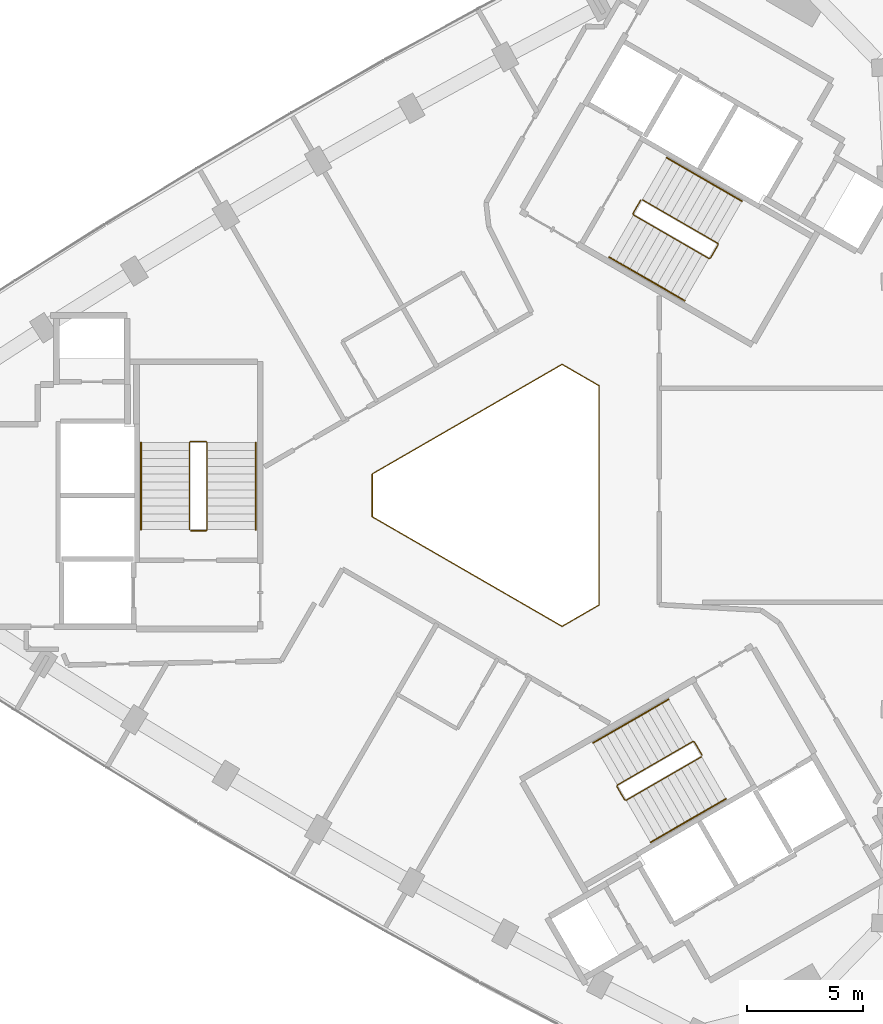
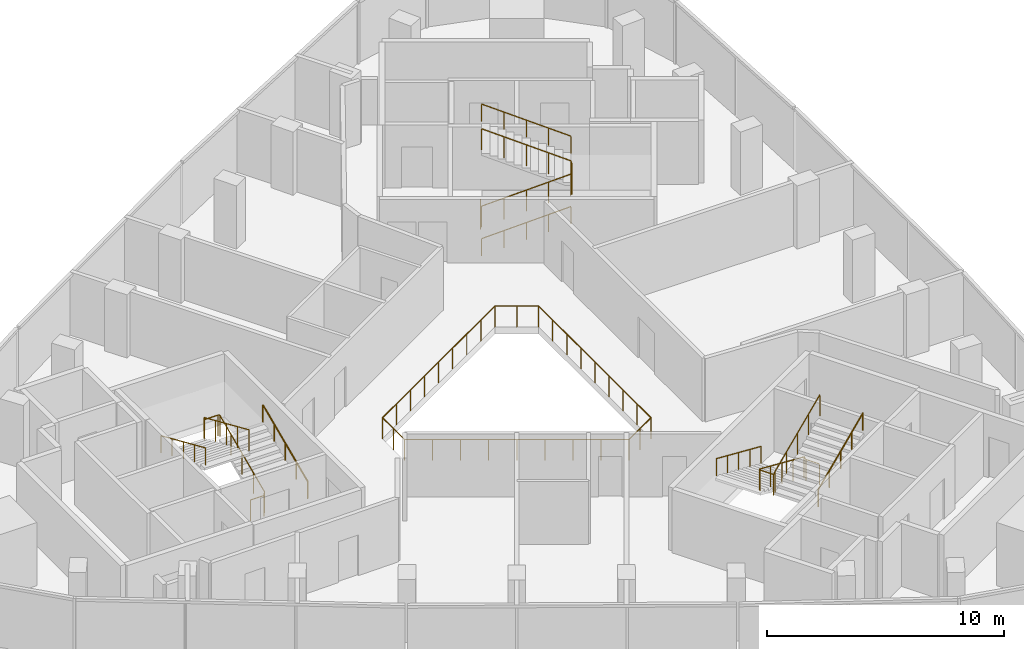
# One storey, part 11 of 11: 10 railings.
"""IFC4 building model written with IfcOpenShell, lengths in metres."""

from ifc_helpers import new_model, si_unit, direction, frame, origin, origin_2d, place, context, subcontext, project, spatial, circle, extrude, material, type_object, element, save


model = new_model("IFC4")

# Units and contexts
model_context = context("Model", 3, precision=1e-05, world=origin(), true_north=direction((0.0, 1.0)))
body_context = subcontext(model_context, "Body", "Model", "MODEL_VIEW")
ifc_project = project(units=[si_unit("LENGTHUNIT", "METRE"), si_unit("AREAUNIT", "SQUARE_METRE"), si_unit("VOLUMEUNIT", "CUBIC_METRE"), si_unit("PLANEANGLEUNIT", "RADIAN"), si_unit("MASSUNIT", "GRAM", prefix="KILO")], contexts=[model_context])

# Site, building, storey
site_placement = place(None, origin())
site = spatial("IfcSite", under=ifc_project, at=site_placement, CompositionType="ELEMENT")
building_placement = place(site_placement, origin())
building = spatial("IfcBuilding", under=site, at=building_placement, Name="Tamra Quay Hotel Tower", CompositionType="ELEMENT")
storey_placement = place(building_placement, frame((0.0, 0.0, 246.60009765625)))
storey = spatial("IfcBuildingStorey", under=building, at=storey_placement, Name="L62", CompositionType="ELEMENT", Elevation=246.60009765625)

# Railings
ifc_material_1 = material(Name="Guard atrium edge 1100")
railing_type_1 = type_object("IfcRailingType", Name="Guard atrium edge 1100", PredefinedType="GUARDRAIL", material=ifc_material_1)
railing_1_placement = place(storey_placement, frame((3.800048828125, -4.73388671875, 0.0)))
element("IfcRailing", 1, at=railing_1_placement, inside=storey, type_object=railing_type_1, Name="G-A", PredefinedType="GUARDRAIL", context=body_context, shape_type="SweptSolid", body=[
    extrude(circle(Radius=0.02392578125, at=origin_2d()), frame((0.0, 0.0, 1.076171875), z_axis=(-0.865965533559, -0.500103683937, 0.0), x_axis=(0.500103683937, -0.865965533559, 0.0)), (0.0, 0.0, 1.0), 1.84765625),
    extrude(circle(Radius=0.02392578125, at=origin_2d()), frame((-1.60009765625, -0.924072265625, 1.076171875), z_axis=(-0.86604174356, 0.49997169761, 0.0), x_axis=(-0.49997169761, -0.86604174356, 0.0)), (0.0, 0.0, 1.0), 9.46826171875),
    extrude(circle(Radius=0.02392578125, at=origin_2d()), frame((-9.800048828125, 3.809814453125, 1.076171875), z_axis=(0.0, 1.0, 0.0), x_axis=(-1.0, 0.0, 0.0)), (0.0, 0.0, 1.0), 1.84814453125),
    extrude(circle(Radius=0.02392578125, at=origin_2d()), frame((-9.800048828125, 5.657958984375, 1.076171875), z_axis=(0.86604174356, 0.49997169761, 0.0), x_axis=(-0.49997169761, 0.86604174356, 0.0)), (0.0, 0.0, 1.0), 9.46826171875),
    extrude(circle(Radius=0.02392578125, at=origin_2d()), frame((-1.60009765625, 10.391845703125, 1.076171875), z_axis=(0.865965533559, -0.500103683937, 0.0), x_axis=(0.500103683937, 0.865965533559, 0.0)), (0.0, 0.0, 1.0), 1.84765625),
    extrude(circle(Radius=0.02392578125, at=origin_2d()), frame((0.0, 9.4677734375, 1.076171875), z_axis=(0.0, -1.0, 0.0), x_axis=(1.0, 0.0, 0.0)), (0.0, 0.0, 1.0), 9.4677734375),
    extrude(circle(Radius=0.02099609375, at=origin_2d()), origin(), (0.0, 0.0, 1.0), 1.052001953125),
    extrude(circle(Radius=0.02099609375, at=origin_2d()), frame((-0.800048828125, -0.4619140625, 0.0)), (0.0, 0.0, 1.0), 1.052001953125),
    extrude(circle(Radius=0.02099609375, at=origin_2d()), frame((-1.60009765625, -0.924072265625, 0.0)), (0.0, 0.0, 1.0), 1.052001953125),
    extrude(circle(Radius=0.02099609375, at=origin_2d()), frame((-2.625, -0.332275390625, 0.0)), (0.0, 0.0, 1.0), 1.052001953125),
    extrude(circle(Radius=0.02099609375, at=origin_2d()), frame((-3.650146484375, 0.25927734375, 0.0)), (0.0, 0.0, 1.0), 1.052001953125),
    extrude(circle(Radius=0.02099609375, at=origin_2d()), frame((-4.675048828125, 0.85107421875, 0.0)), (0.0, 0.0, 1.0), 1.052001953125),
    extrude(circle(Radius=0.02099609375, at=origin_2d()), frame((-5.7001953125, 1.44287109375, 0.0)), (0.0, 0.0, 1.0), 1.052001953125),
    extrude(circle(Radius=0.02099609375, at=origin_2d()), frame((-6.72509765625, 2.03466796875, 0.0)), (0.0, 0.0, 1.0), 1.052001953125),
    extrude(circle(Radius=0.02099609375, at=origin_2d()), frame((-7.75, 2.62646484375, 0.0)), (0.0, 0.0, 1.0), 1.052001953125),
    extrude(circle(Radius=0.02099609375, at=origin_2d()), frame((-8.775146484375, 3.218017578125, 0.0)), (0.0, 0.0, 1.0), 1.052001953125),
    extrude(circle(Radius=0.02099609375, at=origin_2d()), frame((-9.800048828125, 3.809814453125, 0.0)), (0.0, 0.0, 1.0), 1.052001953125),
    extrude(circle(Radius=0.02099609375, at=origin_2d()), frame((-9.800048828125, 4.73388671875, 0.0)), (0.0, 0.0, 1.0), 1.052001953125),
    extrude(circle(Radius=0.02099609375, at=origin_2d()), frame((-9.800048828125, 5.657958984375, 0.0)), (0.0, 0.0, 1.0), 1.052001953125),
    extrude(circle(Radius=0.02099609375, at=origin_2d()), frame((-8.775146484375, 6.249755859375, 0.0)), (0.0, 0.0, 1.0), 1.052001953125),
    extrude(circle(Radius=0.02099609375, at=origin_2d()), frame((-7.75, 6.84130859375, 0.0)), (0.0, 0.0, 1.0), 1.052001953125),
    extrude(circle(Radius=0.02099609375, at=origin_2d()), frame((-6.72509765625, 7.43310546875, 0.0)), (0.0, 0.0, 1.0), 1.052001953125),
    extrude(circle(Radius=0.02099609375, at=origin_2d()), frame((-5.7001953125, 8.02490234375, 0.0)), (0.0, 0.0, 1.0), 1.052001953125),
    extrude(circle(Radius=0.02099609375, at=origin_2d()), frame((-4.675048828125, 8.61669921875, 0.0)), (0.0, 0.0, 1.0), 1.052001953125),
    extrude(circle(Radius=0.02099609375, at=origin_2d()), frame((-3.650146484375, 9.20849609375, 0.0)), (0.0, 0.0, 1.0), 1.052001953125),
    extrude(circle(Radius=0.02099609375, at=origin_2d()), frame((-2.625, 9.800048828125, 0.0)), (0.0, 0.0, 1.0), 1.052001953125),
    extrude(circle(Radius=0.02099609375, at=origin_2d()), frame((-1.60009765625, 10.391845703125, 0.0)), (0.0, 0.0, 1.0), 1.052001953125),
    extrude(circle(Radius=0.02099609375, at=origin_2d()), frame((-0.800048828125, 9.9296875, 0.0)), (0.0, 0.0, 1.0), 1.052001953125),
    extrude(circle(Radius=0.02099609375, at=origin_2d()), frame((0.0, 9.4677734375, 0.0)), (0.0, 0.0, 1.0), 1.052001953125),
    extrude(circle(Radius=0.02099609375, at=origin_2d()), frame((0.0, 8.2841796875, 0.0)), (0.0, 0.0, 1.0), 1.052001953125),
    extrude(circle(Radius=0.02099609375, at=origin_2d()), frame((0.0, 7.100830078125, 0.0)), (0.0, 0.0, 1.0), 1.052001953125),
    extrude(circle(Radius=0.02099609375, at=origin_2d()), frame((0.0, 5.91748046875, 0.0)), (0.0, 0.0, 1.0), 1.052001953125),
    extrude(circle(Radius=0.02099609375, at=origin_2d()), frame((0.0, 4.73388671875, 0.0)), (0.0, 0.0, 1.0), 1.052001953125),
    extrude(circle(Radius=0.02099609375, at=origin_2d()), frame((0.0, 3.55029296875, 0.0)), (0.0, 0.0, 1.0), 1.052001953125),
    extrude(circle(Radius=0.02099609375, at=origin_2d()), frame((0.0, 2.366943359375, 0.0)), (0.0, 0.0, 1.0), 1.052001953125),
    extrude(circle(Radius=0.02099609375, at=origin_2d()), frame((0.0, 1.18359375, 0.0)), (0.0, 0.0, 1.0), 1.052001953125),
])
ifc_material_2 = material(Name="Stair guard 1100")
railing_type_2 = type_object("IfcRailingType", Name="Stair guard 1100", PredefinedType="GUARDRAIL", material=ifc_material_2)
railing_2_placement = place(storey_placement, frame((-13.84130859375, -1.530029296875, 0.0)))
element("IfcRailing", 2, at=railing_2_placement, inside=storey, type_object=railing_type_2, Name="GR", PredefinedType="GUARDRAIL", context=body_context, shape_type="SweptSolid", body=[
    extrude(circle(Radius=0.02392578125, at=origin_2d()), frame((0.0, 0.0, 1.076171875), z_axis=(1.0, 0.0, 0.0), x_axis=(0.0, 1.0, 0.0)), (0.0, 0.0, 1.0), 0.658935546875),
    extrude(circle(Radius=0.02392578125, at=origin_2d()), frame((0.658935546875, 0.0, 1.076171875), z_axis=(0.301912943143, 0.301912943143, 0.904266083366), x_axis=(-0.707106781187, 0.707106781187, 0.0)), (0.0, 0.0, 1.0), 0.165771484375),
    extrude(circle(Radius=0.02392578125, at=origin_2d()), frame((0.708984375, 0.050048828125, 1.22607421875), z_axis=(0.0, 0.915795495799, 0.401644880304), x_axis=(-1.0, 0.0, 0.0)), (0.0, 0.0, 1.0), 4.10791015625),
    extrude(circle(Radius=0.02392578125, at=origin_2d()), frame((0.708984375, 3.81201171875, 2.8759765625), z_axis=(-0.708833529934, 0.705375805398, 0.0), x_axis=(-0.705375805398, -0.708833529934, 0.0)), (0.0, 0.0, 1.0), 0.070556640625),
    extrude(circle(Radius=0.02392578125, at=origin_2d()), frame((0.658935546875, 3.86181640625, 2.8759765625), z_axis=(-1.0, 0.0, 0.0), x_axis=(0.0, -1.0, 0.0)), (0.0, 0.0, 1.0), 0.658935546875),
    extrude(circle(Radius=0.02392578125, at=origin_2d()), frame((0.0, 3.86181640625, 2.8759765625), z_axis=(-0.301644814947, -0.300173376825, 0.904934444842), x_axis=(0.705375805398, -0.708833529934, 0.0)), (0.0, 0.0, 1.0), 0.166015625),
    extrude(circle(Radius=0.02392578125, at=origin_2d()), frame((-0.050048828125, 3.81201171875, 3.02587890625), z_axis=(0.0, -0.915795495799, 0.401644880304), x_axis=(1.0, 0.0, 0.0)), (0.0, 0.0, 1.0), 4.10791015625),
    extrude(circle(Radius=0.02099609375, at=origin_2d()), origin(), (0.0, 0.0, 1.0), 1.052001953125),
    extrude(circle(Radius=0.02099609375, at=origin_2d()), frame((0.658935546875, 0.0, 0.0)), (0.0, 0.0, 1.0), 1.052001953125),
    extrude(circle(Radius=0.02099609375, at=origin_2d()), frame((0.708984375, 0.050048828125, 0.14990234375)), (0.0, 0.0, 1.0), 1.052001953125),
    extrude(circle(Radius=0.02099609375, at=origin_2d()), frame((0.708984375, 0.990478515625, 0.5625)), (0.0, 0.0, 1.0), 1.052001953125),
    extrude(circle(Radius=0.02099609375, at=origin_2d()), frame((0.708984375, 1.93115234375, 0.974853515625)), (0.0, 0.0, 1.0), 1.052001953125),
    extrude(circle(Radius=0.02099609375, at=origin_2d()), frame((0.708984375, 2.87158203125, 1.38720703125)), (0.0, 0.0, 1.0), 1.052001953125),
    extrude(circle(Radius=0.02099609375, at=origin_2d()), frame((0.708984375, 3.81201171875, 1.7998046875)), (0.0, 0.0, 1.0), 1.052001953125),
    extrude(circle(Radius=0.02099609375, at=origin_2d()), frame((0.658935546875, 3.86181640625, 1.7998046875)), (0.0, 0.0, 1.0), 1.052001953125),
    extrude(circle(Radius=0.02099609375, at=origin_2d()), frame((0.0, 3.86181640625, 1.7998046875)), (0.0, 0.0, 1.0), 1.052001953125),
    extrude(circle(Radius=0.02099609375, at=origin_2d()), frame((-0.050048828125, 3.81201171875, 1.949951171875)), (0.0, 0.0, 1.0), 1.052001953125),
    extrude(circle(Radius=0.02099609375, at=origin_2d()), frame((-0.050048828125, 2.87158203125, 2.3623046875)), (0.0, 0.0, 1.0), 1.052001953125),
    extrude(circle(Radius=0.02099609375, at=origin_2d()), frame((-0.050048828125, 1.93115234375, 2.77490234375)), (0.0, 0.0, 1.0), 1.052001953125),
    extrude(circle(Radius=0.02099609375, at=origin_2d()), frame((-0.050048828125, 0.990478515625, 3.1875)), (0.0, 0.0, 1.0), 1.052001953125),
    extrude(circle(Radius=0.02099609375, at=origin_2d()), frame((-0.050048828125, 0.050048828125, 3.599853515625)), (0.0, 0.0, 1.0), 1.052001953125),
])
railing_3_placement = place(storey_placement, frame((5.595458984375, 12.751953125, 0.0)))
element("IfcRailing", 3, at=railing_3_placement, inside=storey, type_object=railing_type_2, Name="GR", PredefinedType="GUARDRAIL", context=body_context, shape_type="SweptSolid", body=[
    extrude(circle(Radius=0.02392578125, at=origin_2d()), frame((0.0, 0.0, 1.076171875), z_axis=(-0.499765215335, -0.866160914346, 0.0), x_axis=(0.866160914346, -0.499765215335, 0.0)), (0.0, 0.0, 1.0), 0.658935546875),
    extrude(circle(Radius=0.02392578125, at=origin_2d()), frame((-0.329345703125, -0.57080078125, 1.076171875), z_axis=(0.110525977783, -0.411156637351, 0.904839338113), x_axis=(0.965715946433, 0.259601060869, 0.0)), (0.0, 0.0, 1.0), 0.165771484375),
    extrude(circle(Radius=0.02392578125, at=origin_2d()), frame((-0.31103515625, -0.638916015625, 1.22607421875), z_axis=(0.793078462799, -0.457933869594, 0.401650498471), x_axis=(0.500040788363, 0.866001853331, 0.0)), (0.0, 0.0, 1.0), 4.10791015625),
    extrude(circle(Radius=0.02392578125, at=origin_2d()), frame((2.94677734375, -2.52001953125, 2.8759765625), z_axis=(0.965948051503, 0.258736085224, 0.0), x_axis=(-0.258736085224, 0.965948051503, 0.0)), (0.0, 0.0, 1.0), 0.07080078125),
    extrude(circle(Radius=0.02392578125, at=origin_2d()), frame((3.01513671875, -2.501708984375, 2.8759765625), z_axis=(0.500043078269, 0.866000531106, 0.0), x_axis=(-0.866000531106, 0.500043078269, 0.0)), (0.0, 0.0, 1.0), 0.6591796875),
    extrude(circle(Radius=0.02392578125, at=origin_2d()), frame((3.3447265625, -1.930908203125, 2.8759765625), z_axis=(-0.110378772244, 0.410609032747, 0.905105932399), x_axis=(-0.965715946433, -0.259601060869, 0.0)), (0.0, 0.0, 1.0), 0.165771484375),
    extrude(circle(Radius=0.02392578125, at=origin_2d()), frame((3.326416015625, -1.86279296875, 3.02587890625), z_axis=(-0.793100512587, 0.457912285461, 0.401631567183), x_axis=(-0.500012686397, -0.866018079166, 0.0)), (0.0, 0.0, 1.0), 4.10791015625),
    extrude(circle(Radius=0.02099609375, at=origin_2d()), origin(), (0.0, 0.0, 1.0), 1.052001953125),
    extrude(circle(Radius=0.02099609375, at=origin_2d()), frame((-0.329345703125, -0.57080078125, 0.0)), (0.0, 0.0, 1.0), 1.052001953125),
    extrude(circle(Radius=0.02099609375, at=origin_2d()), frame((-0.31103515625, -0.638916015625, 0.14990234375)), (0.0, 0.0, 1.0), 1.052001953125),
    extrude(circle(Radius=0.02099609375, at=origin_2d()), frame((0.50341796875, -1.109130859375, 0.5625)), (0.0, 0.0, 1.0), 1.052001953125),
    extrude(circle(Radius=0.02099609375, at=origin_2d()), frame((1.31787109375, -1.57958984375, 0.974853515625)), (0.0, 0.0, 1.0), 1.052001953125),
    extrude(circle(Radius=0.02099609375, at=origin_2d()), frame((2.13232421875, -2.0498046875, 1.38720703125)), (0.0, 0.0, 1.0), 1.052001953125),
    extrude(circle(Radius=0.02099609375, at=origin_2d()), frame((2.94677734375, -2.52001953125, 1.7998046875)), (0.0, 0.0, 1.0), 1.052001953125),
    extrude(circle(Radius=0.02099609375, at=origin_2d()), frame((3.01513671875, -2.501708984375, 1.7998046875)), (0.0, 0.0, 1.0), 1.052001953125),
    extrude(circle(Radius=0.02099609375, at=origin_2d()), frame((3.3447265625, -1.930908203125, 1.7998046875)), (0.0, 0.0, 1.0), 1.052001953125),
    extrude(circle(Radius=0.02099609375, at=origin_2d()), frame((3.326416015625, -1.86279296875, 1.949951171875)), (0.0, 0.0, 1.0), 1.052001953125),
    extrude(circle(Radius=0.02099609375, at=origin_2d()), frame((2.511962890625, -1.392578125, 2.3623046875)), (0.0, 0.0, 1.0), 1.052001953125),
    extrude(circle(Radius=0.02099609375, at=origin_2d()), frame((1.697265625, -0.92236328125, 2.77490234375)), (0.0, 0.0, 1.0), 1.052001953125),
    extrude(circle(Radius=0.02099609375, at=origin_2d()), frame((0.8828125, -0.451904296875, 3.1875)), (0.0, 0.0, 1.0), 1.052001953125),
    extrude(circle(Radius=0.02099609375, at=origin_2d()), frame((0.068359375, 0.018310546875, 3.599853515625)), (0.0, 0.0, 1.0), 1.052001953125),
])
railing_4_placement = place(storey_placement, frame((8.245849609375, -11.221923828125, 0.0)))
element("IfcRailing", 4, at=railing_4_placement, inside=storey, type_object=railing_type_2, Name="GR", PredefinedType="GUARDRAIL", context=body_context, shape_type="SweptSolid", body=[
    extrude(circle(Radius=0.02392578125, at=origin_2d()), frame((0.0, 0.0, 1.076171875), z_axis=(-0.500043078269, 0.866000531106, 0.0), x_axis=(-0.866000531106, -0.500043078269, 0.0)), (0.0, 0.0, 1.0), 0.6591796875),
    extrude(circle(Radius=0.02392578125, at=origin_2d()), frame((-0.32958984375, 0.57080078125, 1.076171875), z_axis=(-0.41238007866, 0.110458949641, 0.904290601062), x_axis=(-0.258736085224, -0.965948051503, 0.0)), (0.0, 0.0, 1.0), 0.165771484375),
    extrude(circle(Radius=0.02392578125, at=origin_2d()), frame((-0.39794921875, 0.589111328125, 1.22607421875), z_axis=(-0.793100512587, -0.457912285461, 0.401631567183), x_axis=(0.500012686397, -0.866018079166, 0.0)), (0.0, 0.0, 1.0), 4.10791015625),
    extrude(circle(Radius=0.02392578125, at=origin_2d()), frame((-3.656005859375, -1.2919921875, 2.8759765625), z_axis=(-0.256368644879, -0.966579080015, 0.0), x_axis=(0.966579080015, -0.256368644879, 0.0)), (0.0, 0.0, 1.0), 0.070556640625),
    extrude(circle(Radius=0.02392578125, at=origin_2d()), frame((-3.674072265625, -1.360107421875, 2.8759765625), z_axis=(0.499765215335, -0.866160914346, 0.0), x_axis=(0.866160914346, 0.499765215335, 0.0)), (0.0, 0.0, 1.0), 0.658935546875),
    extrude(circle(Radius=0.02392578125, at=origin_2d()), frame((-3.3447265625, -1.930908203125, 2.8759765625), z_axis=(0.411831509231, -0.110312011401, 0.90455849349), x_axis=(0.258736085224, 0.965948051503, 0.0)), (0.0, 0.0, 1.0), 0.166015625),
    extrude(circle(Radius=0.02392578125, at=origin_2d()), frame((-3.2763671875, -1.94921875, 3.02587890625), z_axis=(0.793100512587, 0.457912285461, 0.401631567183), x_axis=(-0.500012686397, 0.866018079166, 0.0)), (0.0, 0.0, 1.0), 4.10791015625),
    extrude(circle(Radius=0.02099609375, at=origin_2d()), origin(), (0.0, 0.0, 1.0), 1.052001953125),
    extrude(circle(Radius=0.02099609375, at=origin_2d()), frame((-0.32958984375, 0.57080078125, 0.0)), (0.0, 0.0, 1.0), 1.052001953125),
    extrude(circle(Radius=0.02099609375, at=origin_2d()), frame((-0.39794921875, 0.589111328125, 0.14990234375)), (0.0, 0.0, 1.0), 1.052001953125),
    extrude(circle(Radius=0.02099609375, at=origin_2d()), frame((-1.21240234375, 0.118896484375, 0.5625)), (0.0, 0.0, 1.0), 1.052001953125),
    extrude(circle(Radius=0.02099609375, at=origin_2d()), frame((-2.02685546875, -0.3515625, 0.974853515625)), (0.0, 0.0, 1.0), 1.052001953125),
    extrude(circle(Radius=0.02099609375, at=origin_2d()), frame((-2.841552734375, -0.82177734375, 1.38720703125)), (0.0, 0.0, 1.0), 1.052001953125),
    extrude(circle(Radius=0.02099609375, at=origin_2d()), frame((-3.656005859375, -1.2919921875, 1.7998046875)), (0.0, 0.0, 1.0), 1.052001953125),
    extrude(circle(Radius=0.02099609375, at=origin_2d()), frame((-3.674072265625, -1.360107421875, 1.7998046875)), (0.0, 0.0, 1.0), 1.052001953125),
    extrude(circle(Radius=0.02099609375, at=origin_2d()), frame((-3.3447265625, -1.930908203125, 1.7998046875)), (0.0, 0.0, 1.0), 1.052001953125),
    extrude(circle(Radius=0.02099609375, at=origin_2d()), frame((-3.2763671875, -1.94921875, 1.949951171875)), (0.0, 0.0, 1.0), 1.052001953125),
    extrude(circle(Radius=0.02099609375, at=origin_2d()), frame((-2.4619140625, -1.47900390625, 2.3623046875)), (0.0, 0.0, 1.0), 1.052001953125),
    extrude(circle(Radius=0.02099609375, at=origin_2d()), frame((-1.6474609375, -1.0087890625, 2.77490234375)), (0.0, 0.0, 1.0), 1.052001953125),
    extrude(circle(Radius=0.02099609375, at=origin_2d()), frame((-0.832763671875, -0.538330078125, 3.1875)), (0.0, 0.0, 1.0), 1.052001953125),
    extrude(circle(Radius=0.02099609375, at=origin_2d()), frame((-0.018310546875, -0.068115234375, 3.599853515625)), (0.0, 0.0, 1.0), 1.052001953125),
])
ifc_material_3 = material(Name="Stair handrail 900")
railing_type_3 = type_object("IfcRailingType", Name="Stair handrail 900", PredefinedType="HANDRAIL", material=ifc_material_3)
railing_5_placement = place(storey_placement, frame((-11.0322265625, -1.47998046875, 0.14990234375)))
element("IfcRailing", 5, at=railing_5_placement, inside=storey, type_object=railing_type_3, Name="HR", PredefinedType="HANDRAIL", context=body_context, shape_type="SweptSolid", body=[
    extrude(circle(Radius=0.02392578125, at=origin_2d()), frame((0.0, 0.0, 0.8759765625), z_axis=(0.0, 0.915795495799, 0.401644880304), x_axis=(-1.0, 0.0, 0.0)), (0.0, 0.0, 1.0), 4.10791015625),
    extrude(circle(Radius=0.02099609375, at=origin_2d()), origin(), (0.0, 0.0, 1.0), 0.851806640625),
    extrude(circle(Radius=0.02099609375, at=origin_2d()), frame((0.0, 0.9404296875, 0.41259765625)), (0.0, 0.0, 1.0), 0.851806640625),
    extrude(circle(Radius=0.02099609375, at=origin_2d()), frame((0.0, 1.880859375, 0.824951171875)), (0.0, 0.0, 1.0), 0.851806640625),
    extrude(circle(Radius=0.02099609375, at=origin_2d()), frame((0.0, 2.821533203125, 1.2373046875)), (0.0, 0.0, 1.0), 0.851806640625),
    extrude(circle(Radius=0.02099609375, at=origin_2d()), frame((0.0, 3.761962890625, 1.64990234375)), (0.0, 0.0, 1.0), 0.851806640625),
])
railing_6_placement = place(storey_placement, frame((-15.9912109375, 2.281982421875, 1.949951171875)))
element("IfcRailing", 6, at=railing_6_placement, inside=storey, type_object=railing_type_3, Name="HR", PredefinedType="HANDRAIL", context=body_context, shape_type="SweptSolid", body=[
    extrude(circle(Radius=0.02392578125, at=origin_2d()), frame((0.0, 0.0, 0.8759765625), z_axis=(0.0, -0.915795495799, 0.401644880304), x_axis=(1.0, 0.0, 0.0)), (0.0, 0.0, 1.0), 4.10791015625),
    extrude(circle(Radius=0.02099609375, at=origin_2d()), origin(), (0.0, 0.0, 1.0), 0.851806640625),
    extrude(circle(Radius=0.02099609375, at=origin_2d()), frame((0.0, -0.9404296875, 0.41259765625)), (0.0, 0.0, 1.0), 0.851806640625),
    extrude(circle(Radius=0.02099609375, at=origin_2d()), frame((0.0, -1.880859375, 0.824951171875)), (0.0, 0.0, 1.0), 0.851806640625),
    extrude(circle(Radius=0.02099609375, at=origin_2d()), frame((0.0, -2.821533203125, 1.2373046875)), (0.0, 0.0, 1.0), 0.851806640625),
    extrude(circle(Radius=0.02099609375, at=origin_2d()), frame((0.0, -3.761962890625, 1.64990234375)), (0.0, 0.0, 1.0), 0.851806640625),
])
railing_7_placement = place(storey_placement, frame((4.234375, 10.294189453125, 0.14990234375)))
element("IfcRailing", 7, at=railing_7_placement, inside=storey, type_object=railing_type_3, Name="HR", PredefinedType="HANDRAIL", context=body_context, shape_type="SweptSolid", body=[
    extrude(circle(Radius=0.02392578125, at=origin_2d()), frame((0.0, 0.0, 0.8759765625), z_axis=(0.793122095483, -0.45786531462, 0.401642496911), x_axis=(0.499964013922, 0.86604617936, 0.0)), (0.0, 0.0, 1.0), 4.10791015625),
    extrude(circle(Radius=0.02099609375, at=origin_2d()), origin(), (0.0, 0.0, 1.0), 0.851806640625),
    extrude(circle(Radius=0.02099609375, at=origin_2d()), frame((0.814453125, -0.47021484375, 0.41259765625)), (0.0, 0.0, 1.0), 0.851806640625),
    extrude(circle(Radius=0.02099609375, at=origin_2d()), frame((1.62890625, -0.9404296875, 0.824951171875)), (0.0, 0.0, 1.0), 0.851806640625),
    extrude(circle(Radius=0.02099609375, at=origin_2d()), frame((2.443603515625, -1.41064453125, 1.2373046875)), (0.0, 0.0, 1.0), 0.851806640625),
    extrude(circle(Radius=0.02099609375, at=origin_2d()), frame((3.258056640625, -1.880859375, 1.64990234375)), (0.0, 0.0, 1.0), 0.851806640625),
])
railing_8_placement = place(storey_placement, frame((9.971923828125, 12.7080078125, 1.949951171875)))
element("IfcRailing", 8, at=railing_8_placement, inside=storey, type_object=railing_type_3, Name="HR", PredefinedType="HANDRAIL", context=body_context, shape_type="SweptSolid", body=[
    extrude(circle(Radius=0.02392578125, at=origin_2d()), frame((0.0, 0.0, 0.8759765625), z_axis=(-0.793122095483, 0.45786531462, 0.401642496911), x_axis=(-0.499964013922, -0.86604617936, 0.0)), (0.0, 0.0, 1.0), 4.10791015625),
    extrude(circle(Radius=0.02099609375, at=origin_2d()), origin(), (0.0, 0.0, 1.0), 0.851806640625),
    extrude(circle(Radius=0.02099609375, at=origin_2d()), frame((-0.814453125, 0.47021484375, 0.41259765625)), (0.0, 0.0, 1.0), 0.851806640625),
    extrude(circle(Radius=0.02099609375, at=origin_2d()), frame((-1.62890625, 0.9404296875, 0.824951171875)), (0.0, 0.0, 1.0), 0.851806640625),
    extrude(circle(Radius=0.02099609375, at=origin_2d()), frame((-2.443603515625, 1.41064453125, 1.2373046875)), (0.0, 0.0, 1.0), 0.851806640625),
    extrude(circle(Radius=0.02099609375, at=origin_2d()), frame((-3.258056640625, 1.880859375, 1.64990234375)), (0.0, 0.0, 1.0), 0.851806640625),
])
railing_9_placement = place(storey_placement, frame((6.7978515625, -8.814208984375, 0.14990234375)))
element("IfcRailing", 9, at=railing_9_placement, inside=storey, type_object=railing_type_3, Name="HR", PredefinedType="HANDRAIL", context=body_context, shape_type="SweptSolid", body=[
    extrude(circle(Radius=0.02392578125, at=origin_2d()), frame((0.0, 0.0, 0.8759765625), z_axis=(-0.79310004713, -0.457886897714, 0.401661429744), x_axis=(0.499992114976, -0.866029956157, 0.0)), (0.0, 0.0, 1.0), 4.107666015625),
    extrude(circle(Radius=0.02099609375, at=origin_2d()), origin(), (0.0, 0.0, 1.0), 0.851806640625),
    extrude(circle(Radius=0.02099609375, at=origin_2d()), frame((-0.814453125, -0.47021484375, 0.41259765625)), (0.0, 0.0, 1.0), 0.851806640625),
    extrude(circle(Radius=0.02099609375, at=origin_2d()), frame((-1.62890625, -0.9404296875, 0.824951171875)), (0.0, 0.0, 1.0), 0.851806640625),
    extrude(circle(Radius=0.02099609375, at=origin_2d()), frame((-2.443359375, -1.41064453125, 1.2373046875)), (0.0, 0.0, 1.0), 0.851806640625),
    extrude(circle(Radius=0.02099609375, at=origin_2d()), frame((-3.2578125, -1.880859375, 1.64990234375)), (0.0, 0.0, 1.0), 0.851806640625),
])
railing_10_placement = place(storey_placement, frame((6.01953125, -14.98974609375, 1.949951171875)))
element("IfcRailing", 10, at=railing_10_placement, inside=storey, type_object=railing_type_3, Name="HR", PredefinedType="HANDRAIL", context=body_context, shape_type="SweptSolid", body=[
    extrude(circle(Radius=0.02392578125, at=origin_2d()), frame((0.0, 0.0, 0.8759765625), z_axis=(0.79310004713, 0.457886897714, 0.401661429744), x_axis=(-0.499992114976, 0.866029956157, 0.0)), (0.0, 0.0, 1.0), 4.107666015625),
    extrude(circle(Radius=0.02099609375, at=origin_2d()), origin(), (0.0, 0.0, 1.0), 0.851806640625),
    extrude(circle(Radius=0.02099609375, at=origin_2d()), frame((0.814453125, 0.47021484375, 0.41259765625)), (0.0, 0.0, 1.0), 0.851806640625),
    extrude(circle(Radius=0.02099609375, at=origin_2d()), frame((1.62890625, 0.9404296875, 0.824951171875)), (0.0, 0.0, 1.0), 0.851806640625),
    extrude(circle(Radius=0.02099609375, at=origin_2d()), frame((2.443359375, 1.41064453125, 1.2373046875)), (0.0, 0.0, 1.0), 0.851806640625),
    extrude(circle(Radius=0.02099609375, at=origin_2d()), frame((3.2578125, 1.880859375, 1.64990234375)), (0.0, 0.0, 1.0), 0.851806640625),
])

save(model, "model.ifc")
